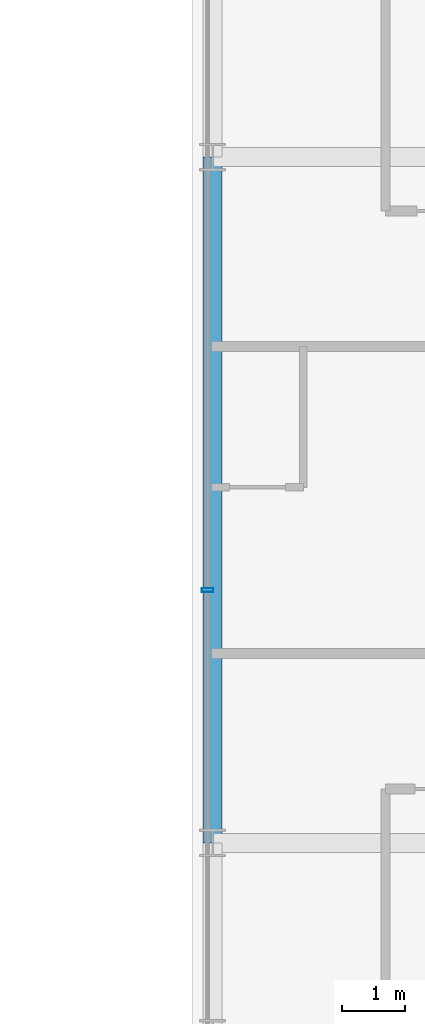
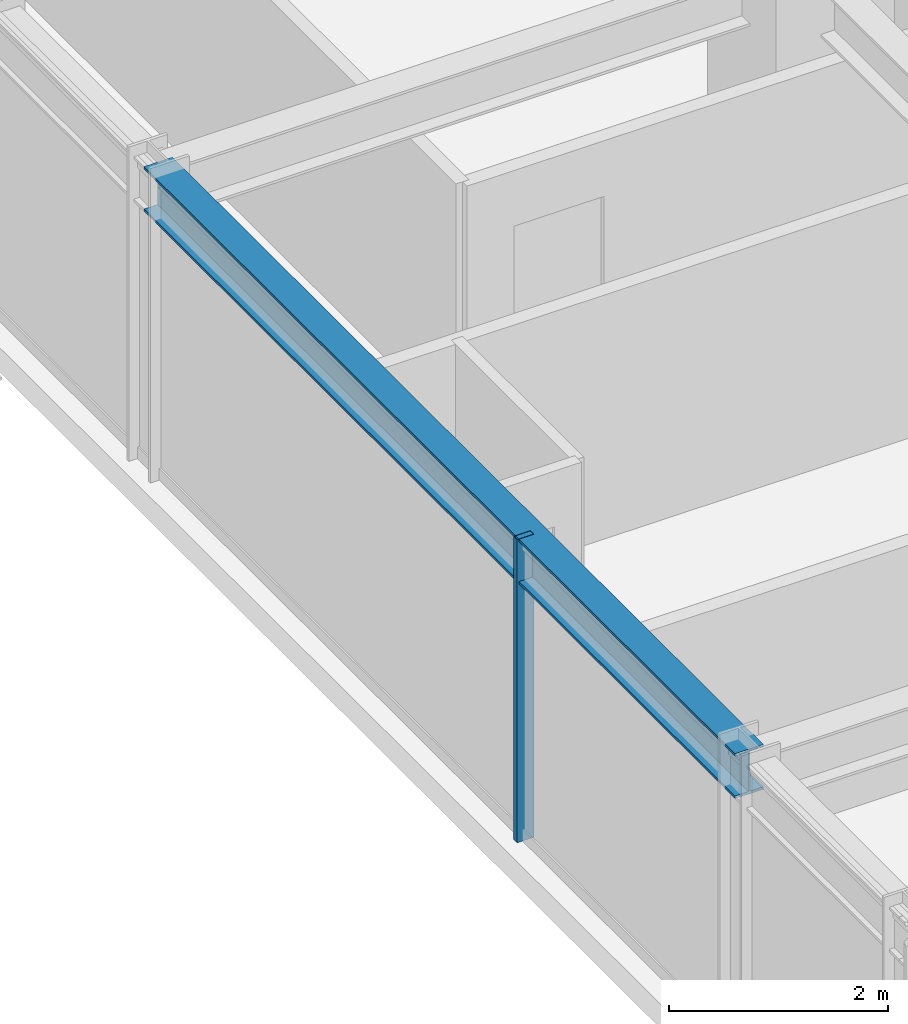
# One storey, part 8 of 39: 1 beam, 1 member, 1 element without a shape of its own.
"""IFC4 building model written with IfcOpenShell, lengths in metres."""

import ifcopenshell
import ifcopenshell.guid

model = None  # the IFC model being written
_history = None  # IfcOwnerHistory: only IFC2X3 demands one
_inside = {}  # id of a spatial element -> (the spatial element, [elements in it])
_under = {}  # id of a project, library or spatial element -> (it, [spatial elements below it])
_declared = {}  # id of a project -> (the project, [libraries it declares])
_typed = {}  # id of a type object -> (the type object, [elements of that type])
_made_of = {}  # id of a material, layer set ... -> (it, [elements and type objects made of it])


def new_model(schema):
    """Start an empty IFC model of exactly this schema.

    Asked for "IFC4X3", IfcOpenShell would pick the latest addendum, in which some entities
    have other attributes; the version numbers below select the first issue.
    IFC2X3 requires an IfcOwnerHistory on every rooted entity: one is made here for all.
    """
    global model, _history
    if schema == "IFC4X3":
        model = ifcopenshell.file(schema_version=(4, 3, 0, 0))
    else:
        model = ifcopenshell.file(schema=schema)
    _inside.clear()
    _under.clear()
    _declared.clear()
    _typed.clear()
    _made_of.clear()
    _history = None
    if model.schema == "IFC2X3":
        org = make("IfcOrganization", Name="unknown")
        user = make(
            "IfcPersonAndOrganization",
            ThePerson=make("IfcPerson", FamilyName="unknown"),
            TheOrganization=org,
        )
        app = make(
            "IfcApplication",
            ApplicationDeveloper=org,
            Version="unknown",
            ApplicationFullName="unknown",
            ApplicationIdentifier="unknown",
        )
        _history = make(
            "IfcOwnerHistory",
            OwningUser=user,
            OwningApplication=app,
            ChangeAction="ADDED",
            CreationDate=0,
        )
    return model


def make(cls, **values):
    """One entity of the class cls with the attributes given. An attribute that is None is left unset."""
    return model.create_entity(
        cls, **{name: value for name, value in values.items() if value is not None}
    )


def rooted(cls, **values):
    """An entity with a GlobalId (a new one), such as an element, a storey or a relation."""
    return make(cls, GlobalId=ifcopenshell.guid.new(), OwnerHistory=_history, **values)


def si_unit(unit_type, name, prefix=None):
    """IfcSIUnit, for example si_unit("LENGTHUNIT", "METRE", prefix="MILLI")."""
    return make("IfcSIUnit", UnitType=unit_type, Prefix=prefix, Name=name)


def assignment(units):
    """IfcUnitAssignment: the units of a project."""
    return None if units is None else make("IfcUnitAssignment", Units=units)


def point(xyz):
    """IfcCartesianPoint."""
    return None if xyz is None else make("IfcCartesianPoint", Coordinates=xyz)


def direction(xyz):
    """IfcDirection."""
    return None if xyz is None else make("IfcDirection", DirectionRatios=xyz)


def frame(location, z_axis=None, x_axis=None):
    """IfcAxis2Placement3D, a coordinate frame: its origin and axes. An axis left out is left unset."""
    return make(
        "IfcAxis2Placement3D",
        Location=point(location),
        Axis=direction(z_axis),
        RefDirection=direction(x_axis),
    )


def frame_2d(location, x_axis=None):
    """IfcAxis2Placement2D, a coordinate frame in the plane: its origin and x axis."""
    return make(
        "IfcAxis2Placement2D", Location=point(location), RefDirection=direction(x_axis)
    )


def origin():
    """The frame at (0, 0, 0) with its axes left unset."""
    return frame((0.0, 0.0, 0.0))


def origin_2d():
    """The frame at (0, 0) in the plane with its x axis left unset."""
    return frame_2d((0.0, 0.0))


def place(relative_to, where):
    """IfcLocalPlacement: puts the frame where relative to a parent placement (None: the world)."""
    return make(
        "IfcLocalPlacement", PlacementRelTo=relative_to, RelativePlacement=where
    )


def context(
    kind, dimensions, precision=None, world=None, true_north=None, identifier=None
):
    """IfcGeometricRepresentationContext, for example the 3D "Model" context."""
    return make(
        "IfcGeometricRepresentationContext",
        ContextIdentifier=identifier,
        ContextType=kind,
        CoordinateSpaceDimension=dimensions,
        Precision=precision,
        WorldCoordinateSystem=world,
        TrueNorth=true_north,
    )


def subcontext(parent, identifier, kind, view, scale=None):
    """IfcGeometricRepresentationSubContext, for example "Body" below "Model"."""
    return make(
        "IfcGeometricRepresentationSubContext",
        ContextIdentifier=identifier,
        ContextType=kind,
        ParentContext=parent,
        TargetScale=scale,
        TargetView=view,
    )


def project(units=None, contexts=None):
    """IfcProject with its units and contexts."""
    return rooted(
        "IfcProject",
        Name="project",
        RepresentationContexts=contexts,
        UnitsInContext=assignment(units),
    )


def spatial(cls, under=None, at=None, **own):
    """A site, building, storey or space (cls), placed at a placement, below another one or the project."""
    s = rooted(cls, ObjectPlacement=at, **own)
    if under is not None:
        _under.setdefault(under.id(), (under, []))[1].append(s)
    return s


def profile(cls, at=None, kind="AREA", **sizes):
    """A parametric profile (cls). Its sizes go by their IFC names, for example OverallWidth=200.0."""
    return make(cls, ProfileType=kind, Position=at, **sizes)


def hollow_rectangle(**sizes):
    """IfcRectangleHollowProfileDef."""
    return profile("IfcRectangleHollowProfileDef", **sizes)


def i_section(**sizes):
    """IfcIShapeProfileDef."""
    return profile("IfcIShapeProfileDef", **sizes)


def extrude(swept, where, along, depth):
    """IfcExtrudedAreaSolid: the profile swept, set in the frame where, extruded along a direction by depth."""
    return make(
        "IfcExtrudedAreaSolid",
        SweptArea=swept,
        Position=where,
        ExtrudedDirection=direction(along),
        Depth=depth,
    )


def shape(context_of_items, identifier, shape_type, items):
    """IfcShapeRepresentation: the items that make up one representation, for example the "Body"."""
    return make(
        "IfcShapeRepresentation",
        ContextOfItems=context_of_items,
        RepresentationIdentifier=identifier,
        RepresentationType=shape_type,
        Items=items,
    )


def source(mapping_origin, context_of_items, identifier, shape_type, items):
    """IfcRepresentationMap: a shape defined once, which mapped items show again and again."""
    return make(
        "IfcRepresentationMap",
        MappingOrigin=mapping_origin,
        MappedRepresentation=shape(context_of_items, identifier, shape_type, items),
    )


def transform(
    local_origin,
    x_axis=None,
    y_axis=None,
    z_axis=None,
    scale=None,
    scale2=None,
    scale3=None,
    uniform=True,
):
    """IfcCartesianTransformationOperator3D, or its non-uniform kind. x_axis, y_axis, z_axis: its Axis1, 2, 3."""
    if uniform:
        return make(
            "IfcCartesianTransformationOperator3D",
            Axis1=direction(x_axis),
            Axis2=direction(y_axis),
            LocalOrigin=point(local_origin),
            Scale=scale,
            Axis3=direction(z_axis),
        )
    return make(
        "IfcCartesianTransformationOperator3DnonUniform",
        Axis1=direction(x_axis),
        Axis2=direction(y_axis),
        LocalOrigin=point(local_origin),
        Scale=scale,
        Axis3=direction(z_axis),
        Scale2=scale2,
        Scale3=scale3,
    )


def mapped(mapping_source, mapping_target):
    """IfcMappedItem: shows the shape of a source again, moved by a transform."""
    return make(
        "IfcMappedItem", MappingSource=mapping_source, MappingTarget=mapping_target
    )


def material(Name=None, Category=None):
    """IfcMaterial."""
    return make("IfcMaterial", Name=Name, Category=Category)


def material_profile(
    of_material, cross_section, Name=None, Category=None, Priority=None
):
    """IfcMaterialProfile: a cross section and its material."""
    return make(
        "IfcMaterialProfile",
        Name=Name,
        Material=of_material,
        Profile=cross_section,
        Priority=Priority,
        Category=Category,
    )


def profile_set(profiles, Name=None, composite=None):
    """IfcMaterialProfileSet."""
    return make(
        "IfcMaterialProfileSet",
        Name=Name,
        MaterialProfiles=profiles,
        CompositeProfile=composite,
    )


def made_of(thing, what):
    """Note that an element or type object is made of a material, layer set ...; save() writes the relation."""
    if what is not None:
        _made_of.setdefault(what.id(), (what, []))[1].append(thing)
    return thing


def type_object(cls, material=None, **own):
    """A type object (cls), such as IfcWallType, which elements share."""
    return made_of(rooted(cls, **own), material)


def element(
    cls,
    number,
    at=None,
    inside=None,
    cuts=None,
    type_object=None,
    material=None,
    context=None,
    identifier="Body",
    shape_type=None,
    held_by="IfcProductDefinitionShape",
    body=None,
    shapes=None,
    **own,
):
    """One element of the class cls, such as IfcWall. Its Tag is "e" and its number.

    at: its placement. inside: the storey or other place that contains it. cuts: it is an
    opening in that element (IfcRelVoidsElement). A single representation is given by context,
    identifier, shape_type and body (its items); several are given by shapes. held_by: the class
    of the entity that holds the representations. save() writes the other relations.
    """
    e = rooted(cls, Tag="e%d" % number, ObjectPlacement=at, **own)
    if body is not None:
        shapes = [shape(context, identifier, shape_type, body)]
    if shapes is not None:
        e.Representation = make(held_by, Representations=shapes)
    if inside is not None:
        _inside.setdefault(inside.id(), (inside, []))[1].append(e)
    if cuts is not None:
        rooted(
            "IfcRelVoidsElement", RelatingBuildingElement=cuts, RelatedOpeningElement=e
        )
    if type_object is not None:
        _typed.setdefault(type_object.id(), (type_object, []))[1].append(e)
    return made_of(e, material)


def aggregate(whole, parts):
    """IfcRelAggregates: a whole, such as a stair, and the parts it consists of."""
    return rooted("IfcRelAggregates", RelatingObject=whole, RelatedObjects=parts)


def save(model, path):
    """Write the relations noted so far, then the file.

    IfcRelAggregates (storeys below a building ...), IfcRelContainedInSpatialStructure (elements
    in a storey), IfcRelDefinesByType, IfcRelAssociatesMaterial and IfcRelDeclares: one each for
    every whole, place, type object, material and project.
    """
    for whole, parts in _under.values():
        aggregate(whole, parts)
    for where, things in _inside.values():
        rooted(
            "IfcRelContainedInSpatialStructure",
            RelatedElements=things,
            RelatingStructure=where,
        )
    for kind, things in _typed.values():
        rooted("IfcRelDefinesByType", RelatedObjects=things, RelatingType=kind)
    for what, things in _made_of.values():
        rooted("IfcRelAssociatesMaterial", RelatedObjects=things, RelatingMaterial=what)
    for by, libraries in _declared.values():
        rooted("IfcRelDeclares", RelatingContext=by, RelatedDefinitions=libraries)
    model.write(path)


model = new_model("IFC4")

# Units and contexts
model_context = context("Model", 3, precision=1e-05, world=origin(), true_north=direction((0.0, 1.0)))
body_context = subcontext(model_context, "Body", "Model", "MODEL_VIEW")
ifc_project = project(units=[si_unit("LENGTHUNIT", "METRE"), si_unit("AREAUNIT", "SQUARE_METRE"), si_unit("VOLUMEUNIT", "CUBIC_METRE"), si_unit("PLANEANGLEUNIT", "RADIAN"), si_unit("MASSUNIT", "GRAM", prefix="KILO")], contexts=[model_context])

# Site, building, storey
site_placement = place(None, origin())
site = spatial("IfcSite", under=ifc_project, at=site_placement, CompositionType="ELEMENT")
building_placement = place(site_placement, origin())
building = spatial("IfcBuilding", under=site, at=building_placement, Name="Nahalor Promenade Grand Hotel", CompositionType="ELEMENT")
storey_placement = place(building_placement, frame((0.0, 0.0, 135.75)))
storey = spatial("IfcBuildingStorey", under=building, at=storey_placement, Name="L34", CompositionType="ELEMENT", Elevation=135.75)

# Beam
ifc_material_1 = material(Name="Steel S355JR", Category="steel")
ifc_material_profile_1 = material_profile(ifc_material_1, i_section(OverallWidth=0.3, OverallDepth=0.5, WebThickness=0.0145, FlangeThickness=0.028, at=origin_2d()), Name="HEB 500")
ifc_profile_set_1 = profile_set([ifc_material_profile_1], Name="Steel S355JR")
beam_type = type_object("IfcBeamType", Name="Beam-Spandrel-HEB500", PredefinedType="SPANDREL", material=ifc_profile_set_1)
shared_shape_1 = source(origin(), body_context, "Body", "SweptSolid", [
    extrude(i_section(OverallWidth=0.3, OverallDepth=0.5, WebThickness=0.0145, FlangeThickness=0.028, at=origin_2d()), origin(), (0.0, 0.0, 1.0), 10.7998046875),
])
beam_placement = place(storey_placement, frame((-23.780029296875, -5.39990234375, 3.1298828125), z_axis=(0.0, 1.0, 0.0), x_axis=(-1.0, 0.0, 0.0)))
element("IfcBeam", 1, at=beam_placement, inside=storey, type_object=beam_type, Name="BM-L34-SP-W-2", PredefinedType="SPANDREL", context=body_context, shape_type="MappedRepresentation", body=[
    mapped(shared_shape_1, transform((0.0, 0.0, 0.0), scale=1.0)),
])

# Curtain wall, member
ifc_material_2 = material(Name="Anodised Bronze Aluminium EN AW-6063 T6", Category="aluminium")
curtain_wall_type = type_object("IfcCurtainWallType", Name="CW2 Typical Hotel Flush Bronze Unitised Curtain Wall", PredefinedType="USERDEFINED", material=ifc_material_2)
curtain_wall_placement = place(storey_placement, origin())
curtain_wall = element("IfcCurtainWall", 2, at=curtain_wall_placement, inside=storey, type_object=curtain_wall_type, Name="L34 Curtain Wall CW-L34-W-1", ObjectType="UNITISED_CURTAIN_WALL", PredefinedType="USERDEFINED")
ifc_material_profile_2 = material_profile(ifc_material_2, hollow_rectangle(XDim=0.065, YDim=0.18, WallThickness=0.004, at=origin_2d()), Name="CWM 65x180x4")
ifc_profile_set_2 = profile_set([ifc_material_profile_2], Name="Anodised Bronze Aluminium EN AW-6063 T6")
member_type = type_object("IfcMemberType", Name="CWM2 Typical Bronze Mullion 65x180", PredefinedType="MULLION", material=ifc_profile_set_2)
shared_shape_2 = source(origin(), body_context, "Body", "SweptSolid", [
    extrude(hollow_rectangle(XDim=0.065, YDim=0.18, WallThickness=0.004, at=origin_2d()), origin(), (0.0, 0.0, 1.0), 3.3798828125),
])
member_placement = place(storey_placement, frame((-23.860107421875, -1.419921875, 0.0), z_axis=(0.0, 0.0, 1.0), x_axis=(0.0, 1.0, 0.0)))
member = element("IfcMember", 3, at=member_placement, type_object=member_type, Name="CW-L34-W-1 Mullion 2", PredefinedType="MULLION", context=body_context, shape_type="MappedRepresentation", body=[
    mapped(shared_shape_2, transform((0.0, 0.0, 0.0), scale=1.0)),
])
aggregate(curtain_wall, [member])

save(model, "model.ifc")
